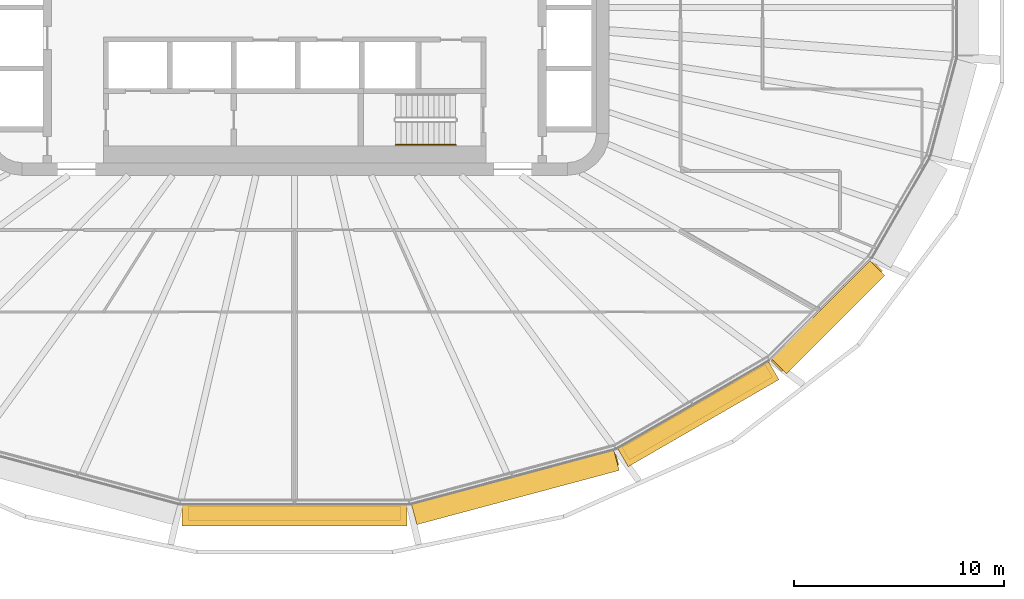
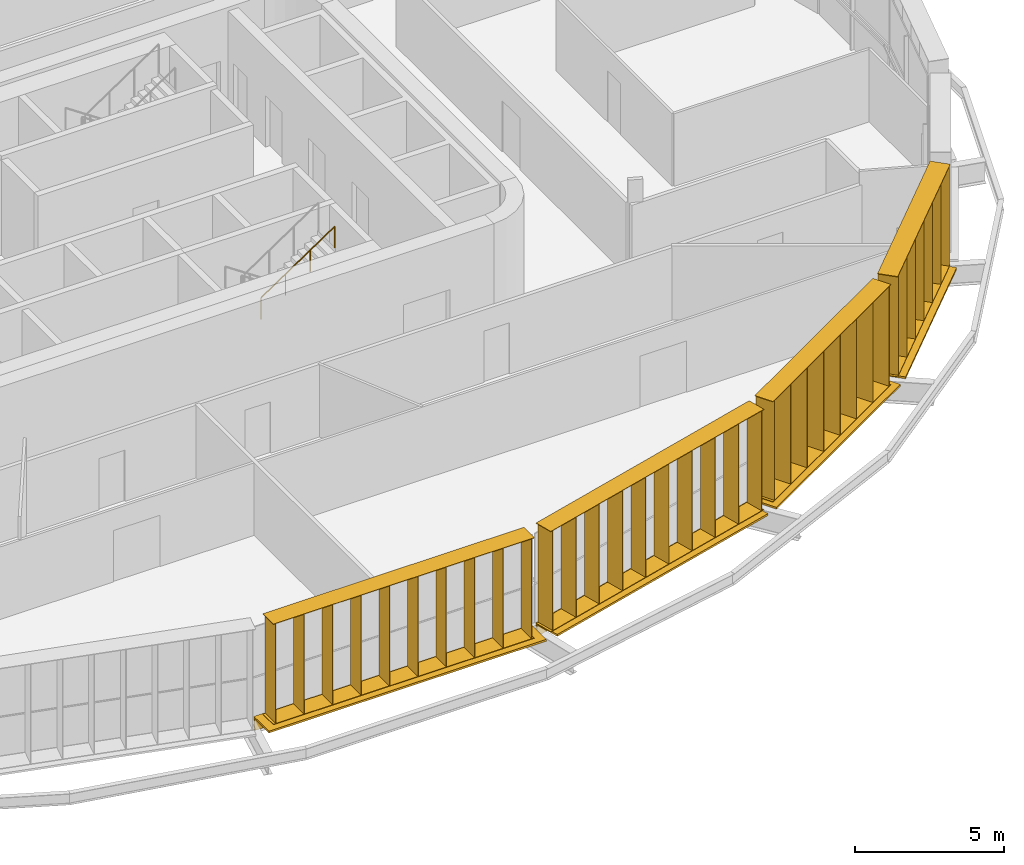
# One storey, part 22 of 25: 8 shading devices, 1 railing.
"""IFC4 building model written with IfcOpenShell, lengths in metres."""

from ifc_helpers import new_model, si_unit, direction, frame, origin, origin_2d, place, context, subcontext, project, spatial, rectangle, circle, extrude, material, type_object, element, save


model = new_model("IFC4")

# Units and contexts
model_context = context("Model", 3, precision=1e-05, world=origin(), true_north=direction((0.0, 1.0)))
body_context = subcontext(model_context, "Body", "Model", "MODEL_VIEW")
ifc_project = project(units=[si_unit("LENGTHUNIT", "METRE"), si_unit("AREAUNIT", "SQUARE_METRE"), si_unit("VOLUMEUNIT", "CUBIC_METRE"), si_unit("PLANEANGLEUNIT", "RADIAN"), si_unit("MASSUNIT", "GRAM", prefix="KILO")], contexts=[model_context])

# Site, building, storey
site_placement = place(None, origin())
site = spatial("IfcSite", under=ifc_project, at=site_placement, CompositionType="ELEMENT")
building_placement = place(site_placement, origin())
building = spatial("IfcBuilding", under=site, at=building_placement, Name="Sahrelin Media Tower", CompositionType="ELEMENT")
storey_placement = place(building_placement, frame((0.0, 0.0, 139.800048828125)))
storey = spatial("IfcBuildingStorey", under=building, at=storey_placement, Name="L28", CompositionType="ELEMENT", Elevation=139.800048828125)

# Shading devices
ifc_material_1 = material(Name="Champagne anodised aluminium 6063-T6", Category="aluminium")
shading_device_type_1 = type_object("IfcShadingDeviceType", Name="Fin cassette", PredefinedType="USERDEFINED", material=ifc_material_1)
placement_1 = place(storey_placement, frame((0.0, -23.69580078125, 0.0), z_axis=(0.0, 0.0, 1.0), x_axis=(-1.0, 0.0, 0.0)))
element("IfcShadingDevice", 1, at=placement_1, inside=storey, type_object=shading_device_type_1, Name="L28:FIN:L28-18", ObjectType="FIN", PredefinedType="USERDEFINED", context=body_context, shape_type="SweptSolid", body=[
    extrude(rectangle(XDim=10.10009765625, YDim=0.699951171875, at=origin_2d()), frame((0.0, 0.419921875, 0.0)), (0.0, 0.0, 1.0), 0.02001953125),
    extrude(rectangle(XDim=10.10009765625, YDim=0.699951171875, at=origin_2d()), frame((0.0, 0.419921875, 4.10009765625)), (0.0, 0.0, 1.0), 0.02001953125),
    extrude(rectangle(XDim=0.02001953125, YDim=0.699951171875, at=origin_2d()), frame((-4.949951171875, 0.419921875, 0.010009765625), z_axis=(0.0, 0.0, 1.0), x_axis=(1.0, 0.0, 0.0)), (0.0, 0.0, 1.0), 4.10009765625),
    extrude(rectangle(XDim=0.02001953125, YDim=0.699951171875, at=origin_2d()), frame((-3.85009765625, 0.419921875, 0.010009765625), z_axis=(0.0, 0.0, 1.0), x_axis=(1.0, 0.0, 0.0)), (0.0, 0.0, 1.0), 4.10009765625),
    extrude(rectangle(XDim=0.02001953125, YDim=0.699951171875, at=origin_2d()), frame((-2.75, 0.419921875, 0.010009765625), z_axis=(0.0, 0.0, 1.0), x_axis=(1.0, 0.0, 0.0)), (0.0, 0.0, 1.0), 4.10009765625),
    extrude(rectangle(XDim=0.02001953125, YDim=0.699951171875, at=origin_2d()), frame((-1.64990234375, 0.419921875, 0.010009765625), z_axis=(0.0, 0.0, 1.0), x_axis=(1.0, 0.0, 0.0)), (0.0, 0.0, 1.0), 4.10009765625),
    extrude(rectangle(XDim=0.02001953125, YDim=0.699951171875, at=origin_2d()), frame((-0.550048828125, 0.419921875, 0.010009765625), z_axis=(0.0, 0.0, 1.0), x_axis=(1.0, 0.0, 0.0)), (0.0, 0.0, 1.0), 4.10009765625),
    extrude(rectangle(XDim=0.02001953125, YDim=0.699951171875, at=origin_2d()), frame((0.550048828125, 0.419921875, 0.010009765625), z_axis=(0.0, 0.0, 1.0), x_axis=(1.0, 0.0, 0.0)), (0.0, 0.0, 1.0), 4.10009765625),
    extrude(rectangle(XDim=0.02001953125, YDim=0.699951171875, at=origin_2d()), frame((1.64990234375, 0.419921875, 0.010009765625), z_axis=(0.0, 0.0, 1.0), x_axis=(1.0, 0.0, 0.0)), (0.0, 0.0, 1.0), 4.10009765625),
    extrude(rectangle(XDim=0.02001953125, YDim=0.699951171875, at=origin_2d()), frame((2.75, 0.419921875, 0.010009765625), z_axis=(0.0, 0.0, 1.0), x_axis=(1.0, 0.0, 0.0)), (0.0, 0.0, 1.0), 4.10009765625),
    extrude(rectangle(XDim=0.02001953125, YDim=0.699951171875, at=origin_2d()), frame((3.85009765625, 0.419921875, 0.010009765625), z_axis=(0.0, 0.0, 1.0), x_axis=(1.0, 0.0, 0.0)), (0.0, 0.0, 1.0), 4.10009765625),
    extrude(rectangle(XDim=0.02001953125, YDim=0.699951171875, at=origin_2d()), frame((4.949951171875, 0.419921875, 0.010009765625), z_axis=(0.0, 0.0, 1.0), x_axis=(1.0, 0.0, 0.0)), (0.0, 0.0, 1.0), 4.10009765625),
])
placement_2 = place(storey_placement, frame((10.389404296875, -22.377197265625, 0.0), z_axis=(0.0, 0.0, 1.0), x_axis=(-0.965928857556, -0.258807731996, 0.0)))
element("IfcShadingDevice", 2, at=placement_2, inside=storey, type_object=shading_device_type_1, Name="L28:FIN:L28-19", ObjectType="FIN", PredefinedType="USERDEFINED", context=body_context, shape_type="SweptSolid", body=[
    extrude(rectangle(XDim=10.10009765625, YDim=0.699951171875, at=origin_2d()), frame((0.0, 0.419921875, 0.0)), (0.0, 0.0, 1.0), 0.02001953125),
    extrude(rectangle(XDim=10.10009765625, YDim=0.699951171875, at=origin_2d()), frame((0.0, 0.419921875, 4.10009765625)), (0.0, 0.0, 1.0), 0.02001953125),
    extrude(rectangle(XDim=0.02001953125, YDim=0.699951171875, at=origin_2d()), frame((-4.949951171875, 0.419921875, 0.010009765625), z_axis=(0.0, 0.0, 1.0), x_axis=(1.0, 0.0, 0.0)), (0.0, 0.0, 1.0), 4.10009765625),
    extrude(rectangle(XDim=0.02001953125, YDim=0.699951171875, at=origin_2d()), frame((-3.85009765625, 0.419921875, 0.010009765625), z_axis=(0.0, 0.0, 1.0), x_axis=(1.0, 0.0, 0.0)), (0.0, 0.0, 1.0), 4.10009765625),
    extrude(rectangle(XDim=0.02001953125, YDim=0.699951171875, at=origin_2d()), frame((-2.75, 0.419921875, 0.010009765625), z_axis=(0.0, 0.0, 1.0), x_axis=(1.0, 0.0, 0.0)), (0.0, 0.0, 1.0), 4.10009765625),
    extrude(rectangle(XDim=0.02001953125, YDim=0.699951171875, at=origin_2d()), frame((-1.64990234375, 0.419921875, 0.010009765625), z_axis=(0.0, 0.0, 1.0), x_axis=(1.0, 0.0, 0.0)), (0.0, 0.0, 1.0), 4.10009765625),
    extrude(rectangle(XDim=0.02001953125, YDim=0.699951171875, at=origin_2d()), frame((-0.550048828125, 0.419921875, 0.010009765625), z_axis=(0.0, 0.0, 1.0), x_axis=(1.0, 0.0, 0.0)), (0.0, 0.0, 1.0), 4.10009765625),
    extrude(rectangle(XDim=0.02001953125, YDim=0.699951171875, at=origin_2d()), frame((0.550048828125, 0.419921875, 0.010009765625), z_axis=(0.0, 0.0, 1.0), x_axis=(1.0, 0.0, 0.0)), (0.0, 0.0, 1.0), 4.10009765625),
    extrude(rectangle(XDim=0.02001953125, YDim=0.699951171875, at=origin_2d()), frame((1.64990234375, 0.419921875, 0.010009765625), z_axis=(0.0, 0.0, 1.0), x_axis=(1.0, 0.0, 0.0)), (0.0, 0.0, 1.0), 4.10009765625),
    extrude(rectangle(XDim=0.02001953125, YDim=0.699951171875, at=origin_2d()), frame((2.75, 0.419921875, 0.010009765625), z_axis=(0.0, 0.0, 1.0), x_axis=(1.0, 0.0, 0.0)), (0.0, 0.0, 1.0), 4.10009765625),
    extrude(rectangle(XDim=0.02001953125, YDim=0.699951171875, at=origin_2d()), frame((3.85009765625, 0.419921875, 0.010009765625), z_axis=(0.0, 0.0, 1.0), x_axis=(1.0, 0.0, 0.0)), (0.0, 0.0, 1.0), 4.10009765625),
    extrude(rectangle(XDim=0.02001953125, YDim=0.699951171875, at=origin_2d()), frame((4.949951171875, 0.419921875, 0.010009765625), z_axis=(0.0, 0.0, 1.0), x_axis=(1.0, 0.0, 0.0)), (0.0, 0.0, 1.0), 4.10009765625),
])
placement_3 = place(storey_placement, frame((18.990966796875, -18.93359375, 0.0), z_axis=(0.0, 0.0, 1.0), x_axis=(-0.866019052629, -0.500011000363, 0.0)))
element("IfcShadingDevice", 3, at=placement_3, inside=storey, type_object=shading_device_type_1, Name="L28:FIN:L28-20", ObjectType="FIN", PredefinedType="USERDEFINED", context=body_context, shape_type="SweptSolid", body=[
    extrude(rectangle(XDim=7.89990234375, YDim=0.699951171875, at=origin_2d()), frame((0.0, 0.419921875, 0.0)), (0.0, 0.0, 1.0), 0.02001953125),
    extrude(rectangle(XDim=7.89990234375, YDim=0.699951171875, at=origin_2d()), frame((0.0, 0.419921875, 4.10009765625)), (0.0, 0.0, 1.0), 0.02001953125),
    extrude(rectangle(XDim=0.02001953125, YDim=0.699951171875, at=origin_2d()), frame((-3.85009765625, 0.419921875, 0.010009765625), z_axis=(0.0, 0.0, 1.0), x_axis=(1.0, 0.0, 0.0)), (0.0, 0.0, 1.0), 4.10009765625),
    extrude(rectangle(XDim=0.02001953125, YDim=0.699951171875, at=origin_2d()), frame((-2.75, 0.419921875, 0.010009765625), z_axis=(0.0, 0.0, 1.0), x_axis=(1.0, 0.0, 0.0)), (0.0, 0.0, 1.0), 4.10009765625),
    extrude(rectangle(XDim=0.02001953125, YDim=0.699951171875, at=origin_2d()), frame((-1.64990234375, 0.419921875, 0.010009765625), z_axis=(0.0, 0.0, 1.0), x_axis=(1.0, 0.0, 0.0)), (0.0, 0.0, 1.0), 4.10009765625),
    extrude(rectangle(XDim=0.02001953125, YDim=0.699951171875, at=origin_2d()), frame((-0.550048828125, 0.419921875, 0.010009765625), z_axis=(0.0, 0.0, 1.0), x_axis=(1.0, 0.0, 0.0)), (0.0, 0.0, 1.0), 4.10009765625),
    extrude(rectangle(XDim=0.02001953125, YDim=0.699951171875, at=origin_2d()), frame((0.550048828125, 0.419921875, 0.010009765625), z_axis=(0.0, 0.0, 1.0), x_axis=(1.0, 0.0, 0.0)), (0.0, 0.0, 1.0), 4.10009765625),
    extrude(rectangle(XDim=0.02001953125, YDim=0.699951171875, at=origin_2d()), frame((1.64990234375, 0.419921875, 0.010009765625), z_axis=(0.0, 0.0, 1.0), x_axis=(1.0, 0.0, 0.0)), (0.0, 0.0, 1.0), 4.10009765625),
    extrude(rectangle(XDim=0.02001953125, YDim=0.699951171875, at=origin_2d()), frame((2.75, 0.419921875, 0.010009765625), z_axis=(0.0, 0.0, 1.0), x_axis=(1.0, 0.0, 0.0)), (0.0, 0.0, 1.0), 4.10009765625),
    extrude(rectangle(XDim=0.02001953125, YDim=0.699951171875, at=origin_2d()), frame((3.85009765625, 0.419921875, 0.010009765625), z_axis=(0.0, 0.0, 1.0), x_axis=(1.0, 0.0, 0.0)), (0.0, 0.0, 1.0), 4.10009765625),
])
placement_4 = place(storey_placement, frame((25.08349609375, -14.39697265625, 0.0), z_axis=(0.0, 0.0, 1.0), x_axis=(-0.707106781187, -0.707106781187, 0.0)))
element("IfcShadingDevice", 4, at=placement_4, inside=storey, type_object=shading_device_type_1, Name="L28:FIN:L28-21", ObjectType="FIN", PredefinedType="USERDEFINED", context=body_context, shape_type="SweptSolid", body=[
    extrude(rectangle(XDim=6.800048828125, YDim=0.699951171875, at=origin_2d()), frame((0.0, 0.419921875, 0.0)), (0.0, 0.0, 1.0), 0.02001953125),
    extrude(rectangle(XDim=6.800048828125, YDim=0.699951171875, at=origin_2d()), frame((0.0, 0.419921875, 4.10009765625)), (0.0, 0.0, 1.0), 0.02001953125),
    extrude(rectangle(XDim=0.02001953125, YDim=0.699951171875, at=origin_2d()), frame((-3.300048828125, 0.419921875, 0.010009765625), z_axis=(0.0, 0.0, 1.0), x_axis=(1.0, 0.0, 0.0)), (0.0, 0.0, 1.0), 4.10009765625),
    extrude(rectangle(XDim=0.02001953125, YDim=0.699951171875, at=origin_2d()), frame((-2.199951171875, 0.419921875, 0.010009765625), z_axis=(0.0, 0.0, 1.0), x_axis=(1.0, 0.0, 0.0)), (0.0, 0.0, 1.0), 4.10009765625),
    extrude(rectangle(XDim=0.02001953125, YDim=0.699951171875, at=origin_2d()), frame((-1.10009765625, 0.419921875, 0.010009765625), z_axis=(0.0, 0.0, 1.0), x_axis=(1.0, 0.0, 0.0)), (0.0, 0.0, 1.0), 4.10009765625),
    extrude(rectangle(XDim=0.02001953125, YDim=0.699951171875, at=origin_2d()), frame((0.0, 0.419921875, 0.010009765625), z_axis=(0.0, 0.0, 1.0), x_axis=(1.0, 0.0, 0.0)), (0.0, 0.0, 1.0), 4.10009765625),
    extrude(rectangle(XDim=0.02001953125, YDim=0.699951171875, at=origin_2d()), frame((1.10009765625, 0.419921875, 0.010009765625), z_axis=(0.0, 0.0, 1.0), x_axis=(1.0, 0.0, 0.0)), (0.0, 0.0, 1.0), 4.10009765625),
    extrude(rectangle(XDim=0.02001953125, YDim=0.699951171875, at=origin_2d()), frame((2.199951171875, 0.419921875, 0.010009765625), z_axis=(0.0, 0.0, 1.0), x_axis=(1.0, 0.0, 0.0)), (0.0, 0.0, 1.0), 4.10009765625),
    extrude(rectangle(XDim=0.02001953125, YDim=0.699951171875, at=origin_2d()), frame((3.300048828125, 0.419921875, 0.010009765625), z_axis=(0.0, 0.0, 1.0), x_axis=(1.0, 0.0, 0.0)), (0.0, 0.0, 1.0), 4.10009765625),
])

# Railing
ifc_material_2 = material(Name="Steel S355", Category="steel")
railing_type = type_object("IfcRailingType", Name="Stair handrail 900", PredefinedType="HANDRAIL", material=ifc_material_2)
railing_placement = place(storey_placement, frame((4.81494140625, -6.550048828125, 2.27490234375)))
element("IfcRailing", 5, at=railing_placement, inside=storey, type_object=railing_type, Name="L28 ST2 stair handrail 2", PredefinedType="HANDRAIL", context=body_context, shape_type="SweptSolid", body=[
    extrude(circle(Radius=0.02392578125, at=origin_2d()), frame((0.0, 0.0, 0.8759765625), z_axis=(0.829590901723, 0.0, 0.558371682465), x_axis=(0.0, 1.0, 0.0)), (0.0, 0.0, 1.0), 3.447509765625),
    extrude(circle(Radius=0.02099609375, at=origin_2d()), origin(), (0.0, 0.0, 1.0), 0.851806640625),
    extrude(circle(Radius=0.02099609375, at=origin_2d()), frame((0.953369140625, 0.0, 0.6416015625)), (0.0, 0.0, 1.0), 0.851806640625),
    extrude(circle(Radius=0.02099609375, at=origin_2d()), frame((1.90673828125, 0.0, 1.283447265625)), (0.0, 0.0, 1.0), 0.851806640625),
    extrude(circle(Radius=0.02099609375, at=origin_2d()), frame((2.860107421875, 0.0, 1.925048828125)), (0.0, 0.0, 1.0), 0.851806640625),
])

# Shading devices
shading_device_type_2 = type_object("IfcShadingDeviceType", Name="Sunshade band", PredefinedType="USERDEFINED", material=ifc_material_1)
element("IfcShadingDevice", 6, at=placement_1, inside=storey, type_object=shading_device_type_2, Name="L28:SUN:L28-18", ObjectType="SUNSHADE", PredefinedType="USERDEFINED", context=body_context, shape_type="SweptSolid", body=[
    extrude(rectangle(XDim=10.73828125, YDim=0.050048828125, at=origin_2d()), frame((0.0, 0.044921875, -0.55126953125)), (0.0, 0.0, 1.0), 0.471435546875),
    extrude(rectangle(XDim=10.73828125, YDim=1.0, at=origin_2d()), frame((0.0, 0.52001953125, -0.080078125)), (0.0, 0.0, 1.0), 0.080078125),
    extrude(rectangle(XDim=0.10009765625, YDim=0.074951171875, at=origin_2d()), frame((-5.26904296875, -0.017578125, -0.47021484375)), (0.0, 0.0, 1.0), 0.300048828125),
    extrude(rectangle(XDim=0.10009765625, YDim=0.074951171875, at=origin_2d()), frame((-3.5126953125, -0.017578125, -0.47021484375)), (0.0, 0.0, 1.0), 0.300048828125),
    extrude(rectangle(XDim=0.10009765625, YDim=0.074951171875, at=origin_2d()), frame((-1.75634765625, -0.017578125, -0.47021484375)), (0.0, 0.0, 1.0), 0.300048828125),
    extrude(rectangle(XDim=0.10009765625, YDim=0.074951171875, at=origin_2d()), frame((0.0, -0.017578125, -0.47021484375)), (0.0, 0.0, 1.0), 0.300048828125),
    extrude(rectangle(XDim=0.10009765625, YDim=0.074951171875, at=origin_2d()), frame((1.75634765625, -0.017578125, -0.47021484375)), (0.0, 0.0, 1.0), 0.300048828125),
    extrude(rectangle(XDim=0.10009765625, YDim=0.074951171875, at=origin_2d()), frame((3.5126953125, -0.017578125, -0.47021484375)), (0.0, 0.0, 1.0), 0.300048828125),
    extrude(rectangle(XDim=0.10009765625, YDim=0.074951171875, at=origin_2d()), frame((5.26904296875, -0.017578125, -0.47021484375)), (0.0, 0.0, 1.0), 0.300048828125),
])
element("IfcShadingDevice", 7, at=placement_2, inside=storey, type_object=shading_device_type_2, Name="L28:SUN:L28-19", ObjectType="SUNSHADE", PredefinedType="USERDEFINED", context=body_context, shape_type="SweptSolid", body=[
    extrude(rectangle(XDim=9.98779296875, YDim=0.050048828125, at=origin_2d()), frame((0.0, 0.044921875, -0.55126953125)), (0.0, 0.0, 1.0), 0.471435546875),
    extrude(rectangle(XDim=9.98779296875, YDim=1.0, at=origin_2d()), frame((0.0, 0.52001953125, -0.080078125)), (0.0, 0.0, 1.0), 0.080078125),
    extrude(rectangle(XDim=0.10009765625, YDim=0.074951171875, at=origin_2d()), frame((-4.893798828125, -0.017578125, -0.47021484375)), (0.0, 0.0, 1.0), 0.300048828125),
    extrude(rectangle(XDim=0.10009765625, YDim=0.074951171875, at=origin_2d()), frame((-2.936279296875, -0.017578125, -0.47021484375)), (0.0, 0.0, 1.0), 0.300048828125),
    extrude(rectangle(XDim=0.10009765625, YDim=0.074951171875, at=origin_2d()), frame((-0.978759765625, -0.017578125, -0.47021484375)), (0.0, 0.0, 1.0), 0.300048828125),
    extrude(rectangle(XDim=0.10009765625, YDim=0.074951171875, at=origin_2d()), frame((0.978759765625, -0.017578125, -0.47021484375)), (0.0, 0.0, 1.0), 0.300048828125),
    extrude(rectangle(XDim=0.10009765625, YDim=0.074951171875, at=origin_2d()), frame((2.936279296875, -0.017578125, -0.47021484375)), (0.0, 0.0, 1.0), 0.300048828125),
    extrude(rectangle(XDim=0.10009765625, YDim=0.074951171875, at=origin_2d()), frame((4.893798828125, -0.017578125, -0.47021484375)), (0.0, 0.0, 1.0), 0.300048828125),
])
element("IfcShadingDevice", 8, at=placement_3, inside=storey, type_object=shading_device_type_2, Name="L28:SUN:L28-20", ObjectType="SUNSHADE", PredefinedType="USERDEFINED", context=body_context, shape_type="SweptSolid", body=[
    extrude(rectangle(XDim=8.30126953125, YDim=0.050048828125, at=origin_2d()), frame((0.0, 0.044921875, -0.55126953125)), (0.0, 0.0, 1.0), 0.471435546875),
    extrude(rectangle(XDim=8.30126953125, YDim=1.0, at=origin_2d()), frame((0.0, 0.52001953125, -0.080078125)), (0.0, 0.0, 1.0), 0.080078125),
    extrude(rectangle(XDim=0.10009765625, YDim=0.074951171875, at=origin_2d()), frame((-4.050537109375, -0.017578125, -0.47021484375)), (0.0, 0.0, 1.0), 0.300048828125),
    extrude(rectangle(XDim=0.10009765625, YDim=0.074951171875, at=origin_2d()), frame((-2.430419921875, -0.017578125, -0.47021484375)), (0.0, 0.0, 1.0), 0.300048828125),
    extrude(rectangle(XDim=0.10009765625, YDim=0.074951171875, at=origin_2d()), frame((-0.81005859375, -0.017578125, -0.47021484375)), (0.0, 0.0, 1.0), 0.300048828125),
    extrude(rectangle(XDim=0.10009765625, YDim=0.074951171875, at=origin_2d()), frame((0.81005859375, -0.017578125, -0.47021484375)), (0.0, 0.0, 1.0), 0.300048828125),
    extrude(rectangle(XDim=0.10009765625, YDim=0.074951171875, at=origin_2d()), frame((2.430419921875, -0.017578125, -0.47021484375)), (0.0, 0.0, 1.0), 0.300048828125),
    extrude(rectangle(XDim=0.10009765625, YDim=0.074951171875, at=origin_2d()), frame((4.050537109375, -0.017578125, -0.47021484375)), (0.0, 0.0, 1.0), 0.300048828125),
])
element("IfcShadingDevice", 9, at=placement_4, inside=storey, type_object=shading_device_type_2, Name="L28:SUN:L28-21", ObjectType="SUNSHADE", PredefinedType="USERDEFINED", context=body_context, shape_type="SweptSolid", body=[
    extrude(rectangle(XDim=6.62060546875, YDim=0.050048828125, at=origin_2d()), frame((0.0, 0.044921875, -0.55126953125)), (0.0, 0.0, 1.0), 0.471435546875),
    extrude(rectangle(XDim=6.62060546875, YDim=1.0, at=origin_2d()), frame((0.0, 0.52001953125, -0.080078125)), (0.0, 0.0, 1.0), 0.080078125),
    extrude(rectangle(XDim=0.10009765625, YDim=0.074951171875, at=origin_2d()), frame((-3.210205078125, -0.017578125, -0.47021484375)), (0.0, 0.0, 1.0), 0.300048828125),
    extrude(rectangle(XDim=0.10009765625, YDim=0.074951171875, at=origin_2d()), frame((-1.605224609375, -0.017578125, -0.47021484375)), (0.0, 0.0, 1.0), 0.300048828125),
    extrude(rectangle(XDim=0.10009765625, YDim=0.074951171875, at=origin_2d()), frame((0.0, -0.017578125, -0.47021484375)), (0.0, 0.0, 1.0), 0.300048828125),
    extrude(rectangle(XDim=0.10009765625, YDim=0.074951171875, at=origin_2d()), frame((1.605224609375, -0.017578125, -0.47021484375)), (0.0, 0.0, 1.0), 0.300048828125),
    extrude(rectangle(XDim=0.10009765625, YDim=0.074951171875, at=origin_2d()), frame((3.210205078125, -0.017578125, -0.47021484375)), (0.0, 0.0, 1.0), 0.300048828125),
])

save(model, "model.ifc")
